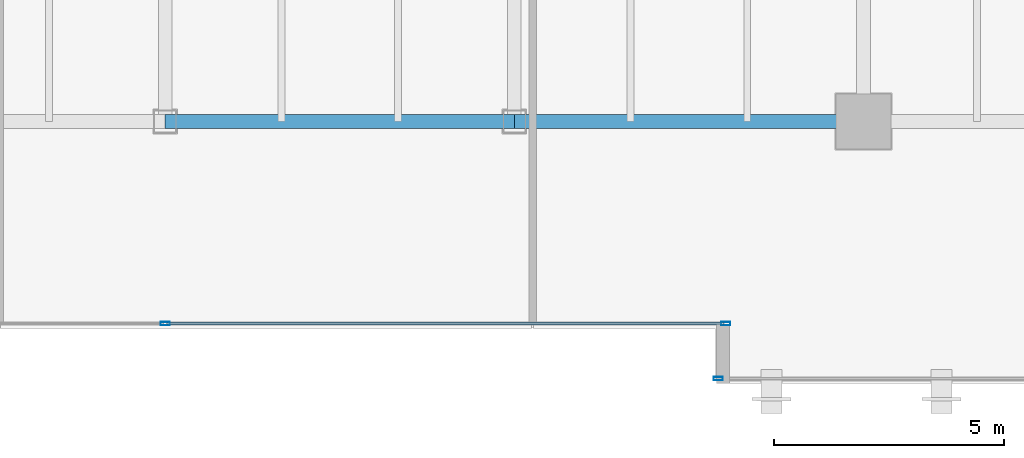
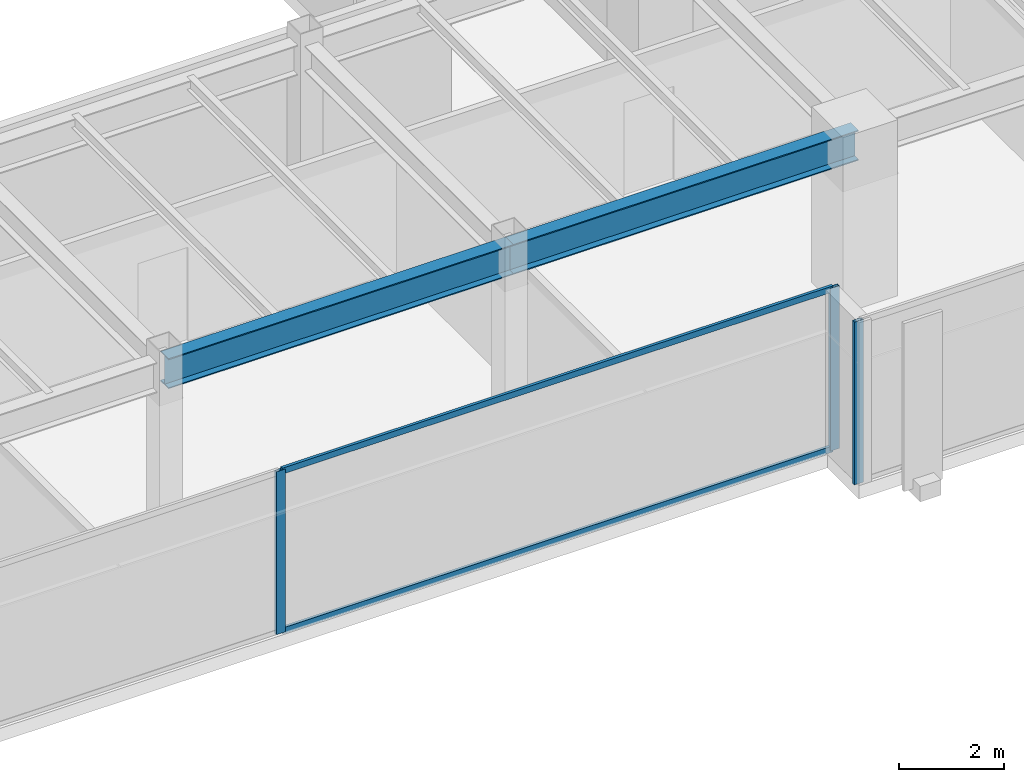
# One storey, part 10 of 34: 5 members, 2 beams, 2 elements without a shape of their own.
"""IFC4 building model written with IfcOpenShell, lengths in metres."""

from ifc_helpers import new_model, si_unit, direction, frame, origin, origin_2d, place, context, subcontext, project, spatial, hollow_rectangle, i_section, extrude, source, transform, mapped, material, layer, layer_set, material_profile, profile_set, type_object, type_shapes, element, aggregate, save


model = new_model("IFC4")

# Units and contexts
model_context = context("Model", 3, precision=1e-05, world=origin(), true_north=direction((0.0, 1.0)))
body_context = subcontext(model_context, "Body", "Model", "MODEL_VIEW")
ifc_project = project(units=[si_unit("LENGTHUNIT", "METRE"), si_unit("AREAUNIT", "SQUARE_METRE"), si_unit("VOLUMEUNIT", "CUBIC_METRE"), si_unit("PLANEANGLEUNIT", "RADIAN"), si_unit("MASSUNIT", "GRAM", prefix="KILO")], contexts=[model_context])

# Site, building, storey
site_placement = place(None, origin())
site = spatial("IfcSite", under=ifc_project, at=site_placement, CompositionType="ELEMENT")
building_placement = place(site_placement, origin())
building = spatial("IfcBuilding", under=site, at=building_placement, Name="Haelvirn Gate Laboratories", CompositionType="ELEMENT")
storey_placement = place(building_placement, frame((0.0, 0.0, 158.39990234375)))
storey = spatial("IfcBuildingStorey", under=building, at=storey_placement, Name="L38", CompositionType="ELEMENT", Elevation=158.39990234375)

# Beams
ifc_material_1 = material(Name="Steel SM355", Category="steel")
ifc_material_profile_1 = material_profile(ifc_material_1, i_section(OverallWidth=0.300048828125, OverallDepth=0.699951171875, WebThickness=0.012939453125, FlangeThickness=0.02392578125, at=origin_2d()), Name="H-700x300x13x24")
ifc_profile_set_1 = profile_set([ifc_material_profile_1], Name="Steel SM355")
beam_type = type_object("IfcBeamType", Name="BM-G-700", PredefinedType="BEAM", material=ifc_profile_set_1)
shared_shape_1 = source(origin(), body_context, "Body", "SweptSolid", [
    extrude(i_section(OverallWidth=0.300048828125, OverallDepth=0.699951171875, WebThickness=0.012939453125, FlangeThickness=0.02392578125, at=origin_2d()), origin(), (0.0, 0.0, 1.0), 7.60009765625),
])
type_shapes(beam_type, [shared_shape_1])
for number, where, z_axis, x_axis, name in (
    (1, (37.39990234375, 7.0, 3.440185546875), (1.0, 0.0, 0.0), (0.0, 1.0, 0.0), "L38 Primary Girder Y7.0 (37.4-45.0)"),
    (2, (45.0, 7.0, 3.440185546875), (1.0, 0.0, 0.0), (0.0, 1.0, 0.0), "L38 Primary Girder Y7.0 (45.0-52.6)"),
):
    element("IfcBeam", number, at=place(storey_placement, frame(where, z_axis=z_axis, x_axis=x_axis)), inside=storey, type_object=beam_type, Name=name, PredefinedType="BEAM", context=body_context, shape_type="MappedRepresentation", body=[
        mapped(shared_shape_1, transform((0.0, 0.0, 0.0), scale=1.0)),
    ])

# Curtain wall, members
ifc_material_2 = material(Name="Anodised bronze unitised aluminium & triple low-E glass", Category="aluminium")
ifc_layer = layer(ifc_material_2, 0.179931640625, Name="CW-SYS-3")
ifc_layer_set = layer_set([ifc_layer], Name="Anodised bronze unitised aluminium & triple low-E glass")
curtain_wall_type = type_object("IfcCurtainWallType", Name="CW-SYS-3", PredefinedType="NOTDEFINED", material=ifc_layer_set)
curtain_wall_1_placement = place(storey_placement, origin())
curtain_wall_1 = element("IfcCurtainWall", 3, at=curtain_wall_1_placement, inside=storey, type_object=curtain_wall_type, Name="L38 Unitised Curtain Wall CW-L38-P0-E02-1", PredefinedType="NOTDEFINED")
ifc_material_3 = material(Name="Extruded aluminium 6063-T6 (anodised bronze)", Category="aluminium")
ifc_material_profile_2 = material_profile(ifc_material_3, hollow_rectangle(XDim=0.06494140625, YDim=0.139892578125, WallThickness=0.00390625, at=origin_2d()), Name="CWT-140x65x4")
ifc_profile_set_2 = profile_set([ifc_material_profile_2], Name="Extruded aluminium 6063-T6 (anodised bronze)")
member_type_1 = type_object("IfcMemberType", Name="CWT-T140", PredefinedType="USERDEFINED", material=ifc_profile_set_2)
shared_shape_2 = source(origin(), body_context, "Body", "SweptSolid", [
    extrude(hollow_rectangle(XDim=0.06494140625, YDim=0.139892578125, WallThickness=0.00390625, at=origin_2d()), origin(), (0.0, 0.0, 1.0), 12.12744140625),
])
type_shapes(member_type_1, [shared_shape_2])
member_1_placement = place(storey_placement, frame((37.4375, 2.60009765625, 0.03271484375), z_axis=(1.0, 0.0, 0.0), x_axis=(0.0, 1.0, 0.0)))
member_1 = element("IfcMember", 4, at=member_1_placement, type_object=member_type_1, Name="CW3 transom 2.1", ObjectType="TRANSOM", PredefinedType="USERDEFINED", context=body_context, shape_type="MappedRepresentation", body=[
    mapped(shared_shape_2, transform((0.0, 0.0, 0.0), scale=1.0)),
])
member_2_placement = place(storey_placement, frame((37.4375, 2.60009765625, 3.757568359375), z_axis=(1.0, 0.0, 0.0), x_axis=(0.0, 1.0, 0.0)))
member_2 = element("IfcMember", 5, at=member_2_placement, type_object=member_type_1, Name="CW3 transom 2.2", ObjectType="TRANSOM", PredefinedType="USERDEFINED", context=body_context, shape_type="MappedRepresentation", body=[
    mapped(shared_shape_2, transform((0.0, 0.0, 0.0), scale=1.0)),
])
ifc_material_profile_3 = material_profile(ifc_material_3, hollow_rectangle(XDim=0.074951171875, YDim=0.199951171875, WallThickness=0.0048828125, at=origin_2d()), Name="CWM-200x75x5")
ifc_profile_set_3 = profile_set([ifc_material_profile_3], Name="Extruded aluminium 6063-T6 (anodised bronze)")
member_type_2 = type_object("IfcMemberType", Name="CWM-T200", PredefinedType="MULLION", material=ifc_profile_set_3)
shared_shape_3 = source(origin(), body_context, "Body", "SweptSolid", [
    extrude(hollow_rectangle(XDim=0.074951171875, YDim=0.199951171875, WallThickness=0.0048828125, at=origin_2d()), origin(), (0.0, 0.0, 1.0), 3.7900390625),
])
type_shapes(member_type_2, [shared_shape_3])
member_3_placement = place(storey_placement, frame((37.39990234375, 2.60009765625, 0.0), z_axis=(0.0, 0.0, 1.0), x_axis=(0.0, 1.0, 0.0)))
member_3 = element("IfcMember", 6, at=member_3_placement, type_object=member_type_2, Name="CW3 mullion 2", PredefinedType="MULLION", context=body_context, shape_type="MappedRepresentation", body=[
    mapped(shared_shape_3, transform((0.0, 0.0, 0.0), scale=1.0)),
])
member_4_placement = place(storey_placement, frame((49.6025390625, 2.60009765625, 0.0), z_axis=(0.0, 0.0, 1.0), x_axis=(0.0, 1.0, 0.0)))
member_4 = element("IfcMember", 7, at=member_4_placement, type_object=member_type_2, Name="CW3 mullion 3", PredefinedType="MULLION", context=body_context, shape_type="MappedRepresentation", body=[
    mapped(shared_shape_3, transform((0.0, 0.0, 0.0), scale=1.0)),
])
aggregate(curtain_wall_1, [member_3, member_4, member_1, member_2])

# Curtain wall, member
curtain_wall_2_placement = place(storey_placement, origin())
curtain_wall_2 = element("IfcCurtainWall", 8, at=curtain_wall_2_placement, inside=storey, type_object=curtain_wall_type, Name="L38 Unitised Curtain Wall CW-L38-P0-E04-1", PredefinedType="NOTDEFINED")
member_5_placement = place(storey_placement, frame((49.4375, 1.39990234375, 0.0), z_axis=(0.0, 0.0, 1.0), x_axis=(0.0, 1.0, 0.0)))
member_5 = element("IfcMember", 9, at=member_5_placement, type_object=member_type_2, Name="CW3 mullion 1", PredefinedType="MULLION", context=body_context, shape_type="MappedRepresentation", body=[
    mapped(shared_shape_3, transform((0.0, 0.0, 0.0), scale=1.0)),
])
aggregate(curtain_wall_2, [member_5])

save(model, "model.ifc")
